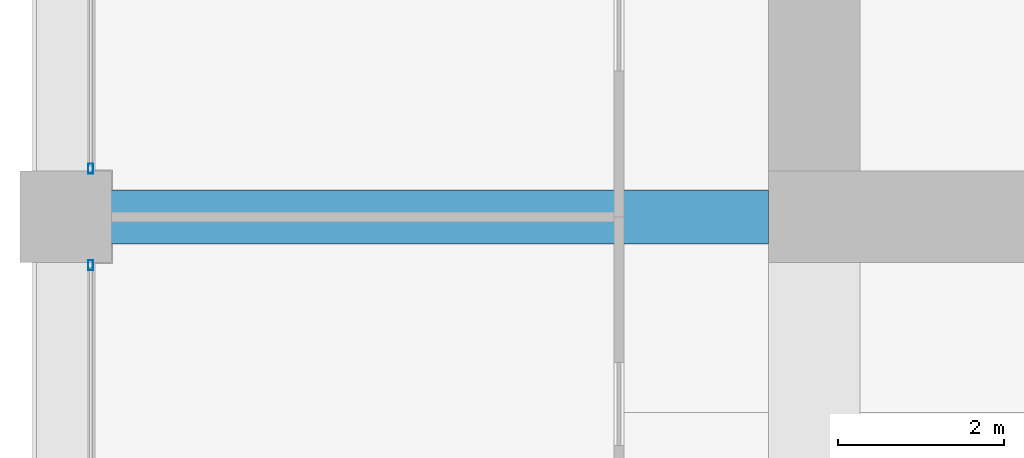
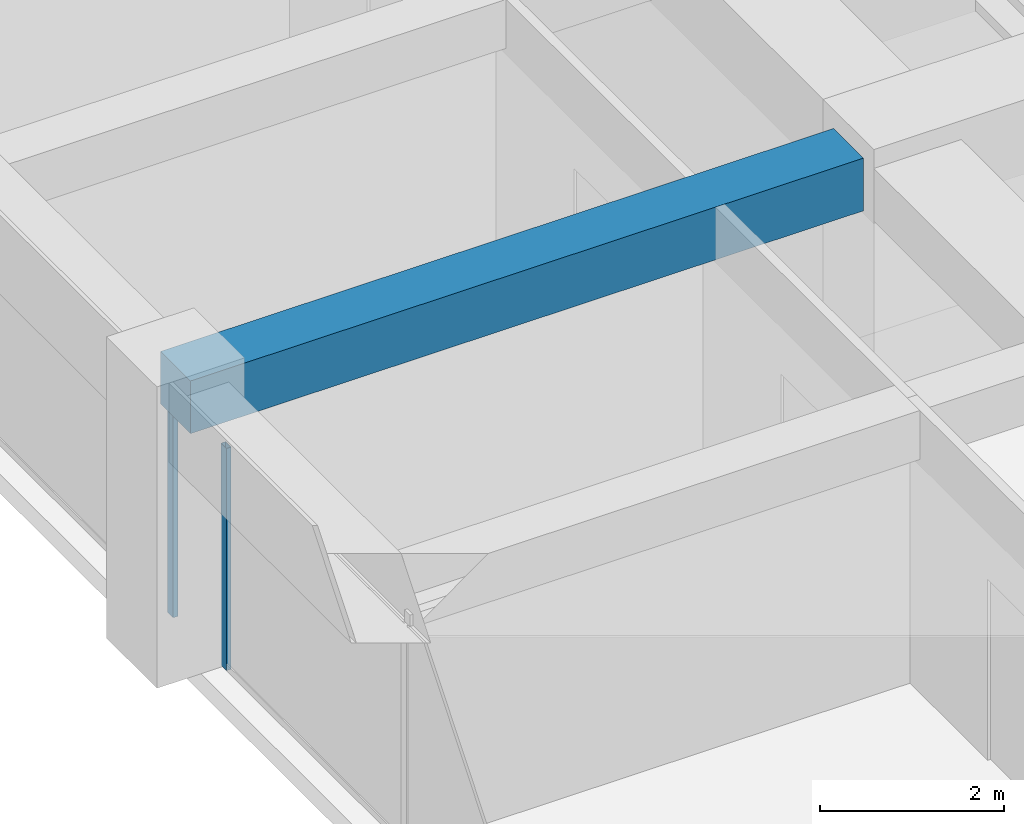
# One storey, part 13 of 45: 2 members, 1 beam, 2 elements without a shape of their own.
"""IFC4 building model written with IfcOpenShell, lengths in metres."""

from ifc_helpers import new_model, si_unit, direction, frame, origin, origin_2d, place, context, subcontext, project, spatial, rectangle, hollow_rectangle, extrude, material, material_profile, profile_set, type_object, element, aggregate, save


model = new_model("IFC4")

# Units and contexts
model_context = context("Model", 3, precision=1e-05, world=origin(), true_north=direction((0.0, 1.0)))
body_context = subcontext(model_context, "Body", "Model", "MODEL_VIEW")
ifc_project = project(units=[si_unit("LENGTHUNIT", "METRE"), si_unit("AREAUNIT", "SQUARE_METRE"), si_unit("VOLUMEUNIT", "CUBIC_METRE"), si_unit("PLANEANGLEUNIT", "RADIAN"), si_unit("MASSUNIT", "GRAM", prefix="KILO")], contexts=[model_context])

# Site, building, storey
site_placement = place(None, origin())
site = spatial("IfcSite", under=ifc_project, at=site_placement, CompositionType="ELEMENT")
building_placement = place(site_placement, origin())
building = spatial("IfcBuilding", under=site, at=building_placement, Name="Zorevar Civic Tower", CompositionType="ELEMENT")
storey_placement = place(building_placement, frame((0.0, 0.0, 291.39990234375)))
storey = spatial("IfcBuildingStorey", under=building, at=storey_placement, Name="L71", CompositionType="ELEMENT", Elevation=291.39990234375)

# Beam
ifc_material_1 = material(Name="Concrete C50/60", Category="concrete")
ifc_material_profile_1 = material_profile(ifc_material_1, rectangle(XDim=0.64990234375, YDim=0.699951171875, at=origin_2d()), Name="RC 650x700")
ifc_profile_set_1 = profile_set([ifc_material_profile_1], Name="Concrete C50/60")
beam_type = type_object("IfcBeamType", Name="Beam RC 650x700", PredefinedType="BEAM", material=ifc_profile_set_1)
beam_placement = place(storey_placement, frame((9.0, 18.0, 3.400146484375), z_axis=(1.0, 0.0, 0.0), x_axis=(0.0, 1.0, 0.0)))
element("IfcBeam", 1, at=beam_placement, inside=storey, type_object=beam_type, Name="Girder L72", PredefinedType="BEAM", context=body_context, shape_type="SweptSolid", body=[
    extrude(rectangle(XDim=0.64990234375, YDim=0.699951171875, at=origin_2d()), origin(), (0.0, 0.0, 1.0), 8.449951171875),
])

# Curtain wall, member
ifc_material_2 = material(Name="Dark grey solar-control glass in black aluminium frame", Category="aluminium")
curtain_wall_type = type_object("IfcCurtainWallType", Name="Curtain wall CW5 top zone", PredefinedType="NOTDEFINED", material=ifc_material_2)
curtain_wall_1_placement = place(storey_placement, origin())
curtain_wall_1 = element("IfcCurtainWall", 2, at=curtain_wall_1_placement, inside=storey, type_object=curtain_wall_type, Name="CW5 L71", PredefinedType="NOTDEFINED")
ifc_material_3 = material(Name="Aluminium, black anodised", Category="aluminium")
ifc_material_profile_2 = material_profile(ifc_material_3, hollow_rectangle(XDim=0.06005859375, YDim=0.1201171875, WallThickness=0.0029296875, at=origin_2d()), Name="AL 120x60x3")
ifc_profile_set_2 = profile_set([ifc_material_profile_2], Name="Aluminium, black anodised")
member_type = type_object("IfcMemberType", Name="CW5 mullion AL 120x60x3", PredefinedType="MULLION", material=ifc_profile_set_2)
member_1_placement = place(storey_placement, frame((9.300048828125, 17.419921875, 0.0), z_axis=(0.0, 0.0, 1.0), x_axis=(-1.0, 0.0, 0.0)))
member_1 = element("IfcMember", 3, at=member_1_placement, type_object=member_type, Name="CW5 mullion 3", PredefinedType="MULLION", context=body_context, shape_type="SweptSolid", body=[
    extrude(hollow_rectangle(XDim=0.06005859375, YDim=0.1201171875, WallThickness=0.0029296875, at=origin_2d()), origin(), (0.0, 0.0, 1.0), 2.9501953125),
])
aggregate(curtain_wall_1, [member_1])

curtain_wall_2_placement = place(storey_placement, origin())
curtain_wall_2 = element("IfcCurtainWall", 4, at=curtain_wall_2_placement, inside=storey, type_object=curtain_wall_type, Name="CW5 L71", PredefinedType="NOTDEFINED")
member_2_placement = place(storey_placement, frame((9.300048828125, 18.580078125, 0.0), z_axis=(0.0, 0.0, 1.0), x_axis=(-1.0, 0.0, 0.0)))
member_2 = element("IfcMember", 5, at=member_2_placement, type_object=member_type, Name="CW5 mullion 1", PredefinedType="MULLION", context=body_context, shape_type="SweptSolid", body=[
    extrude(hollow_rectangle(XDim=0.06005859375, YDim=0.1201171875, WallThickness=0.0029296875, at=origin_2d()), origin(), (0.0, 0.0, 1.0), 2.9501953125),
])
aggregate(curtain_wall_2, [member_2])

save(model, "model.ifc")
